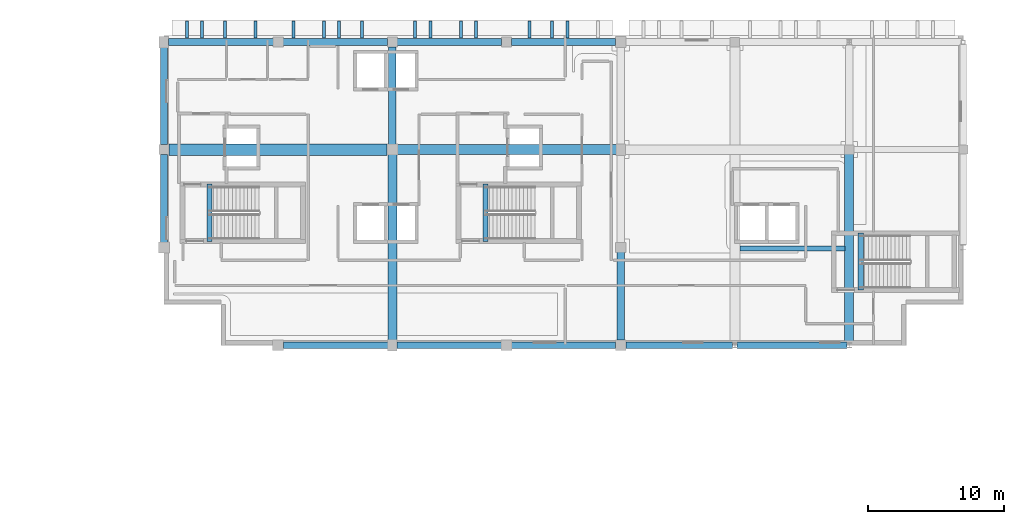
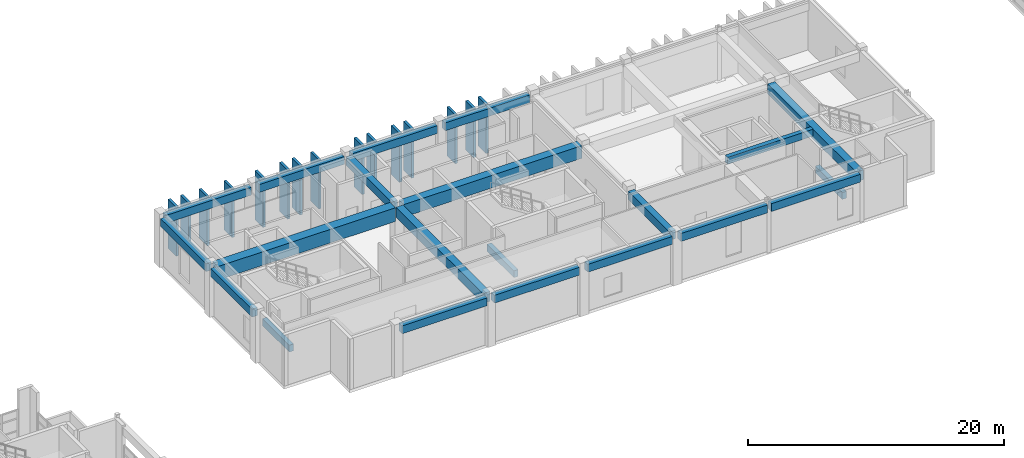
# One storey, part 26 of 78: 21 beams, 15 members.
"""IFC4 building model written with IfcOpenShell, lengths in metres."""

from ifc_helpers import new_model, si_unit, direction, frame, origin, origin_2d, place, context, subcontext, project, spatial, rectangle, extrude, material, material_profile, profile_set, type_object, element, save


model = new_model("IFC4")

# Units and contexts
model_context = context("Model", 3, precision=1e-05, world=origin(), true_north=direction((0.0, 1.0)))
body_context = subcontext(model_context, "Body", "Model", "MODEL_VIEW")
ifc_project = project(units=[si_unit("LENGTHUNIT", "METRE"), si_unit("AREAUNIT", "SQUARE_METRE"), si_unit("VOLUMEUNIT", "CUBIC_METRE"), si_unit("PLANEANGLEUNIT", "RADIAN"), si_unit("MASSUNIT", "GRAM", prefix="KILO")], contexts=[model_context])

# Site, building, storey
site_placement = place(None, origin())
site = spatial("IfcSite", under=ifc_project, at=site_placement, CompositionType="ELEMENT")
building_placement = place(site_placement, origin())
building = spatial("IfcBuilding", under=site, at=building_placement, Name="Quendrovan Civic Courthouse", CompositionType="ELEMENT")
storey_placement = place(building_placement, frame((0.0, 0.0, 20.39990234375)))
storey = spatial("IfcBuildingStorey", under=building, at=storey_placement, Name="L05", CompositionType="ELEMENT", Elevation=20.39990234375)

# Beams
ifc_material_1 = material(Name="Post-tensioned concrete C50/60", Category="concrete")
ifc_material_profile_1 = material_profile(ifc_material_1, rectangle(XDim=0.75, YDim=1.199951171875, at=origin_2d()), Name="PT-GIRD-750x1200")
ifc_profile_set_1 = profile_set([ifc_material_profile_1], Name="Post-tensioned concrete C50/60")
beam_type_1 = type_object("IfcBeamType", Name="BM-PT1200", PredefinedType="BEAM", material=ifc_profile_set_1)
beam_1_placement = place(storey_placement, frame((50.780029296875, 102.0, 4.06005859375), z_axis=(1.0, 0.0, 0.0), x_axis=(0.0, 1.0, 0.0)))
element("IfcBeam", 1, at=beam_1_placement, inside=storey, type_object=beam_type_1, Name="L05 Girder X1040", PredefinedType="BEAM", context=body_context, shape_type="SweptSolid", body=[
    extrude(rectangle(XDim=0.75, YDim=1.199951171875, at=origin_2d()), origin(), (0.0, 0.0, 1.0), 16.090087890625),
])
ifc_material_profile_2 = material_profile(ifc_material_1, rectangle(XDim=0.85009765625, YDim=1.300048828125, at=origin_2d()), Name="PT-GRD-850x1300")
ifc_profile_set_2 = profile_set([ifc_material_profile_2], Name="Post-tensioned concrete C50/60")
beam_type_2 = type_object("IfcBeamType", Name="BM-PT1300", PredefinedType="BEAM", material=ifc_profile_set_2)
beam_2_placement = place(storey_placement, frame((33.955078125, 102.0, 4.010009765625), z_axis=(1.0, 0.0, 0.0), x_axis=(0.0, 1.0, 0.0)))
element("IfcBeam", 2, at=beam_2_placement, inside=storey, type_object=beam_type_2, Name="L05 Girder X1039", PredefinedType="BEAM", context=body_context, shape_type="SweptSolid", body=[
    extrude(rectangle(XDim=0.85009765625, YDim=1.300048828125, at=origin_2d()), origin(), (0.0, 0.0, 1.0), 16.06494140625),
])
ifc_material_profile_3 = material_profile(ifc_material_1, rectangle(XDim=0.64990234375, YDim=0.949951171875, at=origin_2d()), Name="PT-GIRD-650x950")
ifc_profile_set_3 = profile_set([ifc_material_profile_3], Name="Post-tensioned concrete C50/60")
beam_type_3 = type_object("IfcBeamType", Name="BM-PT950", PredefinedType="BEAM", material=ifc_profile_set_3)
beam_3_placement = place(storey_placement, frame((50.39990234375, 88.0048828125, 4.18505859375), z_axis=(0.0, 1.0, 0.0), x_axis=(-1.0, 0.0, 0.0)))
element("IfcBeam", 3, at=beam_3_placement, inside=storey, type_object=beam_type_3, Name="L05 Girder Y1083", PredefinedType="BEAM", context=body_context, shape_type="SweptSolid", body=[
    extrude(rectangle(XDim=0.64990234375, YDim=0.949951171875, at=origin_2d()), origin(), (0.0, 0.0, 1.0), 13.615234375),
])
beam_4_placement = place(storey_placement, frame((84.0, 87.76611328125, 4.18505859375), z_axis=(0.0, 1.0, 0.0), x_axis=(-1.0, 0.0, 0.0)))
element("IfcBeam", 4, at=beam_4_placement, inside=storey, type_object=beam_type_3, Name="L05 Girder Y1090", PredefinedType="BEAM", context=body_context, shape_type="SweptSolid", body=[
    extrude(rectangle(XDim=0.64990234375, YDim=0.949951171875, at=origin_2d()), origin(), (0.0, 0.0, 1.0), 13.90380859375),
])
ifc_material_2 = material(Name="Concrete C40/50", Category="concrete")
ifc_material_profile_4 = material_profile(ifc_material_2, rectangle(XDim=0.39990234375, YDim=0.64990234375, at=origin_2d()), Name="RC-BM-400x650")
ifc_profile_set_4 = profile_set([ifc_material_profile_4], Name="Concrete C40/50")
beam_type_4 = type_object("IfcBeamType", Name="BM-RC650", PredefinedType="JOIST", material=ifc_profile_set_4)
beam_5_placement = place(storey_placement, frame((75.955078125, 94.718017578125, 4.335205078125), z_axis=(1.0, 0.0, 0.0), x_axis=(0.0, 1.0, 0.0)))
element("IfcBeam", 5, at=beam_5_placement, inside=storey, type_object=beam_type_4, Name="L05 Secondary Joist 1094", PredefinedType="JOIST", context=body_context, shape_type="SweptSolid", body=[
    extrude(rectangle(XDim=0.39990234375, YDim=0.64990234375, at=origin_2d()), origin(), (0.0, 0.0, 1.0), 7.739990234375),
])
for number, where, z_axis, x_axis, name in (
    (6, (36.949951171875, 95.25, -0.324951171875), (0.0, 1.0, 0.0), (-1.0, 0.0, 0.0), "L05 Stair ST1 Landing Trimmer Beam"),
    (7, (57.25, 95.25, -0.324951171875), (0.0, 1.0, 0.0), (-1.0, 0.0, 0.0), "L05 Stair ST2 Landing Trimmer Beam"),
):
    element("IfcBeam", number, at=place(storey_placement, frame(where, z_axis=z_axis, x_axis=x_axis)), inside=storey, type_object=beam_type_4, Name=name, PredefinedType="JOIST", context=body_context, shape_type="SweptSolid", body=[
        extrude(rectangle(XDim=0.39990234375, YDim=0.64990234375, at=origin_2d()), origin(), (0.0, 0.0, 1.0), 4.199951171875),
    ])
beam_6_placement = place(storey_placement, frame((84.85009765625, 91.64990234375, -0.324951171875), z_axis=(0.0, 1.0, 0.0), x_axis=(-1.0, 0.0, 0.0)))
element("IfcBeam", 8, at=beam_6_placement, inside=storey, type_object=beam_type_4, Name="L05 Stair ST3 Landing Trimmer Beam", PredefinedType="JOIST", context=body_context, shape_type="SweptSolid", body=[
    extrude(rectangle(XDim=0.39990234375, YDim=0.64990234375, at=origin_2d()), origin(), (0.0, 0.0, 1.0), 4.2001953125),
])
ifc_material_profile_5 = material_profile(ifc_material_2, rectangle(XDim=0.5, YDim=0.75, at=origin_2d()), Name="RC-BM-500x750")
ifc_profile_set_5 = profile_set([ifc_material_profile_5], Name="Concrete C40/50")
beam_type_5 = type_object("IfcBeamType", Name="BM-RC750", PredefinedType="SPANDREL", material=ifc_profile_set_5)
beam_7_placement = place(storey_placement, frame((42.3798828125, 87.60009765625, 4.28515625), z_axis=(1.0, 0.0, 0.0), x_axis=(0.0, 1.0, 0.0)))
element("IfcBeam", 9, at=beam_7_placement, inside=storey, type_object=beam_type_5, Name="L05 Girder X1033", PredefinedType="SPANDREL", context=body_context, shape_type="SweptSolid", body=[
    extrude(rectangle(XDim=0.5, YDim=0.75, at=origin_2d()), origin(), (0.0, 0.0, 1.0), 7.690185546875),
])
beam_8_placement = place(storey_placement, frame((50.72998046875, 87.60009765625, 4.28515625), z_axis=(1.0, 0.0, 0.0), x_axis=(0.0, 1.0, 0.0)))
element("IfcBeam", 10, at=beam_8_placement, inside=storey, type_object=beam_type_5, Name="L05 Girder X1034", PredefinedType="SPANDREL", context=body_context, shape_type="SweptSolid", body=[
    extrude(rectangle(XDim=0.5, YDim=0.75, at=origin_2d()), origin(), (0.0, 0.0, 1.0), 7.68994140625),
])
beam_9_placement = place(storey_placement, frame((59.179931640625, 87.60009765625, 4.28515625), z_axis=(1.0, 0.0, 0.0), x_axis=(0.0, 1.0, 0.0)))
element("IfcBeam", 11, at=beam_9_placement, inside=storey, type_object=beam_type_5, Name="L05 Girder X1035", PredefinedType="SPANDREL", context=body_context, shape_type="SweptSolid", body=[
    extrude(rectangle(XDim=0.5, YDim=0.75, at=origin_2d()), origin(), (0.0, 0.0, 1.0), 7.64013671875),
])
beam_10_placement = place(storey_placement, frame((67.580078125, 87.60009765625, 4.28515625), z_axis=(1.0, 0.0, 0.0), x_axis=(0.0, 1.0, 0.0)))
element("IfcBeam", 12, at=beam_10_placement, inside=storey, type_object=beam_type_5, Name="L05 Girder X1036", PredefinedType="SPANDREL", context=body_context, shape_type="SweptSolid", body=[
    extrude(rectangle(XDim=0.5, YDim=0.75, at=origin_2d()), origin(), (0.0, 0.0, 1.0), 7.85302734375),
])
beam_11_placement = place(storey_placement, frame((75.76708984375, 87.60009765625, 4.28515625), z_axis=(1.0, 0.0, 0.0), x_axis=(0.0, 1.0, 0.0)))
element("IfcBeam", 13, at=beam_11_placement, inside=storey, type_object=beam_type_5, Name="L05 Girder X1037", PredefinedType="SPANDREL", context=body_context, shape_type="SweptSolid", body=[
    extrude(rectangle(XDim=0.5, YDim=0.75, at=origin_2d()), origin(), (0.0, 0.0, 1.0), 8.06591796875),
])
beam_12_placement = place(storey_placement, frame((33.929931640625, 109.89990234375, 4.28515625), z_axis=(1.0, 0.0, 0.0), x_axis=(0.0, 1.0, 0.0)))
element("IfcBeam", 14, at=beam_12_placement, inside=storey, type_object=beam_type_5, Name="L05 Girder X1043", PredefinedType="SPANDREL", context=body_context, shape_type="SweptSolid", body=[
    extrude(rectangle(XDim=0.5, YDim=0.75, at=origin_2d()), origin(), (0.0, 0.0, 1.0), 7.715087890625),
])
beam_13_placement = place(storey_placement, frame((42.35498046875, 109.89990234375, 4.28515625), z_axis=(1.0, 0.0, 0.0), x_axis=(0.0, 1.0, 0.0)))
element("IfcBeam", 15, at=beam_13_placement, inside=storey, type_object=beam_type_5, Name="L05 Girder X1044", PredefinedType="SPANDREL", context=body_context, shape_type="SweptSolid", body=[
    extrude(rectangle(XDim=0.5, YDim=0.75, at=origin_2d()), origin(), (0.0, 0.0, 1.0), 7.68994140625),
])
beam_14_placement = place(storey_placement, frame((50.7548828125, 109.89990234375, 4.28515625), z_axis=(1.0, 0.0, 0.0), x_axis=(0.0, 1.0, 0.0)))
element("IfcBeam", 16, at=beam_14_placement, inside=storey, type_object=beam_type_5, Name="L05 Girder X1045", PredefinedType="SPANDREL", context=body_context, shape_type="SweptSolid", body=[
    extrude(rectangle(XDim=0.5, YDim=0.75, at=origin_2d()), origin(), (0.0, 0.0, 1.0), 7.690185546875),
])
beam_15_placement = place(storey_placement, frame((59.155029296875, 109.89990234375, 4.28515625), z_axis=(1.0, 0.0, 0.0), x_axis=(0.0, 1.0, 0.0)))
element("IfcBeam", 17, at=beam_15_placement, inside=storey, type_object=beam_type_5, Name="L05 Girder X1046", PredefinedType="SPANDREL", context=body_context, shape_type="SweptSolid", body=[
    extrude(rectangle(XDim=0.5, YDim=0.75, at=origin_2d()), origin(), (0.0, 0.0, 1.0), 7.6650390625),
])
beam_16_placement = place(storey_placement, frame((33.60009765625, 95.179931640625, 4.28515625), z_axis=(0.0, 1.0, 0.0), x_axis=(-1.0, 0.0, 0.0)))
element("IfcBeam", 18, at=beam_16_placement, inside=storey, type_object=beam_type_5, Name="L05 Girder Y1077", PredefinedType="SPANDREL", context=body_context, shape_type="SweptSolid", body=[
    extrude(rectangle(XDim=0.5, YDim=0.75, at=origin_2d()), origin(), (0.0, 0.0, 1.0), 6.465087890625),
])
beam_17_placement = place(storey_placement, frame((33.60009765625, 102.35498046875, 4.28515625), z_axis=(0.0, 1.0, 0.0), x_axis=(-1.0, 0.0, 0.0)))
element("IfcBeam", 19, at=beam_17_placement, inside=storey, type_object=beam_type_5, Name="L05 Girder Y1078", PredefinedType="SPANDREL", context=body_context, shape_type="SweptSolid", body=[
    extrude(rectangle(XDim=0.5, YDim=0.75, at=origin_2d()), origin(), (0.0, 0.0, 1.0), 7.14013671875),
])
ifc_material_profile_6 = material_profile(ifc_material_2, rectangle(XDim=0.550048828125, YDim=0.800048828125, at=origin_2d()), Name="RC-BM-550x800")
ifc_profile_set_6 = profile_set([ifc_material_profile_6], Name="Concrete C40/50")
beam_type_6 = type_object("IfcBeamType", Name="BM-RC800", PredefinedType="BEAM", material=ifc_profile_set_6)
beam_18_placement = place(storey_placement, frame((50.39990234375, 102.3798828125, 4.260009765625), z_axis=(0.0, 1.0, 0.0), x_axis=(-1.0, 0.0, 0.0)))
element("IfcBeam", 20, at=beam_18_placement, inside=storey, type_object=beam_type_6, Name="L05 Girder Y1084", PredefinedType="BEAM", context=body_context, shape_type="SweptSolid", body=[
    extrude(rectangle(XDim=0.550048828125, YDim=0.800048828125, at=origin_2d()), origin(), (0.0, 0.0, 1.0), 7.1650390625),
])
beam_19_placement = place(storey_placement, frame((67.199951171875, 87.97998046875, 4.260009765625), z_axis=(0.0, 1.0, 0.0), x_axis=(-1.0, 0.0, 0.0)))
element("IfcBeam", 21, at=beam_19_placement, inside=storey, type_object=beam_type_6, Name="L05 Girder Y1086", PredefinedType="BEAM", context=body_context, shape_type="SweptSolid", body=[
    extrude(rectangle(XDim=0.550048828125, YDim=0.800048828125, at=origin_2d()), origin(), (0.0, 0.0, 1.0), 6.465087890625),
])

# Members
ifc_material_3 = material(Name="Precast concrete C45/55", Category="concrete")
ifc_material_profile_7 = material_profile(ifc_material_3, rectangle(XDim=0.219970703125, YDim=1.280029296875, at=origin_2d()), Name="PC-FIN-220x1280")
ifc_profile_set_7 = profile_set([ifc_material_profile_7], Name="Precast concrete C45/55")
member_type = type_object("IfcMemberType", Name="MEM-PC-FIN1280", PredefinedType="USERDEFINED", material=ifc_profile_set_7)
for number, where, z_axis, x_axis, name in (
    (22, (35.280029296875, 110.83203125, 0.0), (0.0, 0.0, 1.0), (1.0, 0.0, 0.0), "L05 Precast Concrete Facade Fin 0055"),
    (23, (36.39990234375, 110.83203125, 0.0), (0.0, 0.0, 1.0), (1.0, 0.0, 0.0), "L05 Precast Concrete Facade Fin 0056"),
    (24, (38.080078125, 110.83203125, 0.0), (0.0, 0.0, 1.0), (1.0, 0.0, 0.0), "L05 Precast Concrete Facade Fin 0057"),
    (25, (40.320068359375, 110.83203125, 0.0), (0.0, 0.0, 1.0), (1.0, 0.0, 0.0), "L05 Precast Concrete Facade Fin 0058"),
    (26, (43.1201171875, 110.83203125, 0.0), (0.0, 0.0, 1.0), (1.0, 0.0, 0.0), "L05 Precast Concrete Facade Fin 0059"),
    (27, (45.360107421875, 110.83203125, 0.0), (0.0, 0.0, 1.0), (1.0, 0.0, 0.0), "L05 Precast Concrete Facade Fin 0060"),
    (28, (46.47998046875, 110.83203125, 0.0), (0.0, 0.0, 1.0), (1.0, 0.0, 0.0), "L05 Precast Concrete Facade Fin 0061"),
    (29, (48.159912109375, 110.83203125, 0.0), (0.0, 0.0, 1.0), (1.0, 0.0, 0.0), "L05 Precast Concrete Facade Fin 0062"),
    (30, (52.080078125, 110.83203125, 0.0), (0.0, 0.0, 1.0), (1.0, 0.0, 0.0), "L05 Precast Concrete Facade Fin 0063"),
    (31, (53.199951171875, 110.83203125, 0.0), (0.0, 0.0, 1.0), (1.0, 0.0, 0.0), "L05 Precast Concrete Facade Fin 0064"),
    (32, (55.43994140625, 110.83203125, 0.0), (0.0, 0.0, 1.0), (1.0, 0.0, 0.0), "L05 Precast Concrete Facade Fin 0065"),
    (33, (56.56005859375, 110.83203125, 0.0), (0.0, 0.0, 1.0), (1.0, 0.0, 0.0), "L05 Precast Concrete Facade Fin 0066"),
    (34, (60.47998046875, 110.83203125, 0.0), (0.0, 0.0, 1.0), (1.0, 0.0, 0.0), "L05 Precast Concrete Facade Fin 0067"),
    (35, (62.159912109375, 110.83203125, 0.0), (0.0, 0.0, 1.0), (1.0, 0.0, 0.0), "L05 Precast Concrete Facade Fin 0068"),
    (36, (63.280029296875, 110.83203125, 0.0), (0.0, 0.0, 1.0), (1.0, 0.0, 0.0), "L05 Precast Concrete Facade Fin 0069"),
):
    element("IfcMember", number, at=place(storey_placement, frame(where, z_axis=z_axis, x_axis=x_axis)), inside=storey, type_object=member_type, Name=name, ObjectType="PRECAST FACADE FIN", PredefinedType="USERDEFINED", context=body_context, shape_type="SweptSolid", body=[
        extrude(rectangle(XDim=0.219970703125, YDim=1.280029296875, at=origin_2d()), origin(), (0.0, 0.0, 1.0), 4.68017578125),
    ])

save(model, "model.ifc")
